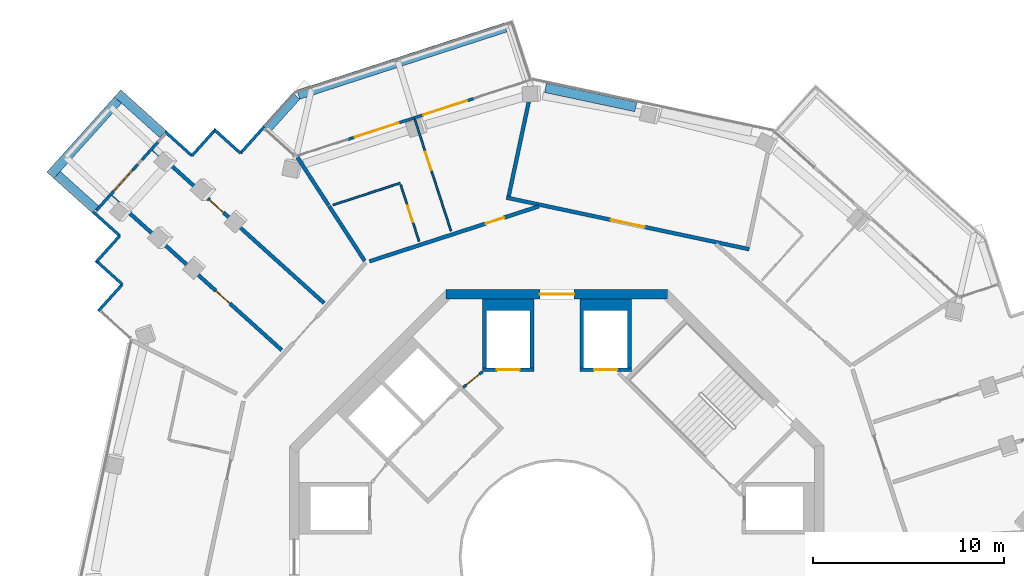
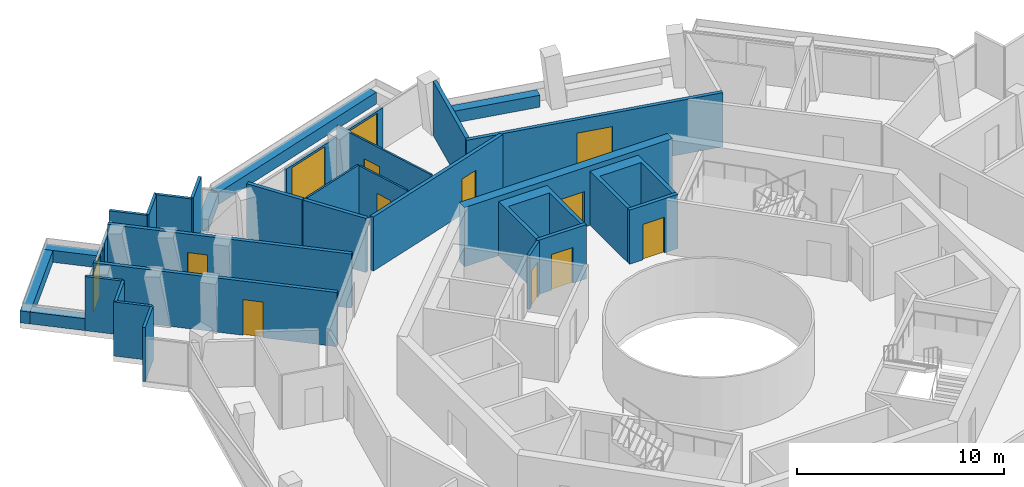
# One storey, part 17 of 22: 34 walls, 13 doors, 13 openings.
"""IFC4 building model written with IfcOpenShell, lengths in metres."""

import ifcopenshell
import ifcopenshell.guid

model = None  # the IFC model being written
_history = None  # IfcOwnerHistory: only IFC2X3 demands one
_inside = {}  # id of a spatial element -> (the spatial element, [elements in it])
_under = {}  # id of a project, library or spatial element -> (it, [spatial elements below it])
_declared = {}  # id of a project -> (the project, [libraries it declares])
_typed = {}  # id of a type object -> (the type object, [elements of that type])
_made_of = {}  # id of a material, layer set ... -> (it, [elements and type objects made of it])


def new_model(schema):
    """Start an empty IFC model of exactly this schema.

    Asked for "IFC4X3", IfcOpenShell would pick the latest addendum, in which some entities
    have other attributes; the version numbers below select the first issue.
    IFC2X3 requires an IfcOwnerHistory on every rooted entity: one is made here for all.
    """
    global model, _history
    if schema == "IFC4X3":
        model = ifcopenshell.file(schema_version=(4, 3, 0, 0))
    else:
        model = ifcopenshell.file(schema=schema)
    _inside.clear()
    _under.clear()
    _declared.clear()
    _typed.clear()
    _made_of.clear()
    _history = None
    if model.schema == "IFC2X3":
        org = make("IfcOrganization", Name="unknown")
        user = make(
            "IfcPersonAndOrganization",
            ThePerson=make("IfcPerson", FamilyName="unknown"),
            TheOrganization=org,
        )
        app = make(
            "IfcApplication",
            ApplicationDeveloper=org,
            Version="unknown",
            ApplicationFullName="unknown",
            ApplicationIdentifier="unknown",
        )
        _history = make(
            "IfcOwnerHistory",
            OwningUser=user,
            OwningApplication=app,
            ChangeAction="ADDED",
            CreationDate=0,
        )
    return model


def make(cls, **values):
    """One entity of the class cls with the attributes given. An attribute that is None is left unset."""
    return model.create_entity(
        cls, **{name: value for name, value in values.items() if value is not None}
    )


def rooted(cls, **values):
    """An entity with a GlobalId (a new one), such as an element, a storey or a relation."""
    return make(cls, GlobalId=ifcopenshell.guid.new(), OwnerHistory=_history, **values)


def si_unit(unit_type, name, prefix=None):
    """IfcSIUnit, for example si_unit("LENGTHUNIT", "METRE", prefix="MILLI")."""
    return make("IfcSIUnit", UnitType=unit_type, Prefix=prefix, Name=name)


def assignment(units):
    """IfcUnitAssignment: the units of a project."""
    return None if units is None else make("IfcUnitAssignment", Units=units)


def point(xyz):
    """IfcCartesianPoint."""
    return None if xyz is None else make("IfcCartesianPoint", Coordinates=xyz)


def direction(xyz):
    """IfcDirection."""
    return None if xyz is None else make("IfcDirection", DirectionRatios=xyz)


def frame(location, z_axis=None, x_axis=None):
    """IfcAxis2Placement3D, a coordinate frame: its origin and axes. An axis left out is left unset."""
    return make(
        "IfcAxis2Placement3D",
        Location=point(location),
        Axis=direction(z_axis),
        RefDirection=direction(x_axis),
    )


def frame_2d(location, x_axis=None):
    """IfcAxis2Placement2D, a coordinate frame in the plane: its origin and x axis."""
    return make(
        "IfcAxis2Placement2D", Location=point(location), RefDirection=direction(x_axis)
    )


def origin():
    """The frame at (0, 0, 0) with its axes left unset."""
    return frame((0.0, 0.0, 0.0))


def place(relative_to, where):
    """IfcLocalPlacement: puts the frame where relative to a parent placement (None: the world)."""
    return make(
        "IfcLocalPlacement", PlacementRelTo=relative_to, RelativePlacement=where
    )


def context(
    kind, dimensions, precision=None, world=None, true_north=None, identifier=None
):
    """IfcGeometricRepresentationContext, for example the 3D "Model" context."""
    return make(
        "IfcGeometricRepresentationContext",
        ContextIdentifier=identifier,
        ContextType=kind,
        CoordinateSpaceDimension=dimensions,
        Precision=precision,
        WorldCoordinateSystem=world,
        TrueNorth=true_north,
    )


def subcontext(parent, identifier, kind, view, scale=None):
    """IfcGeometricRepresentationSubContext, for example "Body" below "Model"."""
    return make(
        "IfcGeometricRepresentationSubContext",
        ContextIdentifier=identifier,
        ContextType=kind,
        ParentContext=parent,
        TargetScale=scale,
        TargetView=view,
    )


def project(units=None, contexts=None):
    """IfcProject with its units and contexts."""
    return rooted(
        "IfcProject",
        Name="project",
        RepresentationContexts=contexts,
        UnitsInContext=assignment(units),
    )


def spatial(cls, under=None, at=None, **own):
    """A site, building, storey or space (cls), placed at a placement, below another one or the project."""
    s = rooted(cls, ObjectPlacement=at, **own)
    if under is not None:
        _under.setdefault(under.id(), (under, []))[1].append(s)
    return s


def polyline(points):
    """IfcPolyline through the points."""
    return make("IfcPolyline", Points=[point(p) for p in points])


def profile(cls, at=None, kind="AREA", **sizes):
    """A parametric profile (cls). Its sizes go by their IFC names, for example OverallWidth=200.0."""
    return make(cls, ProfileType=kind, Position=at, **sizes)


def rectangle(**sizes):
    """IfcRectangleProfileDef."""
    return profile("IfcRectangleProfileDef", **sizes)


def outline(outer, holes=None, kind="AREA"):
    """IfcArbitraryClosedProfileDef: a profile drawn as a closed curve; with holes, ...WithVoids."""
    if holes is None:
        return make("IfcArbitraryClosedProfileDef", ProfileType=kind, OuterCurve=outer)
    return make(
        "IfcArbitraryProfileDefWithVoids",
        ProfileType=kind,
        OuterCurve=outer,
        InnerCurves=holes,
    )


def extrude(swept, where, along, depth):
    """IfcExtrudedAreaSolid: the profile swept, set in the frame where, extruded along a direction by depth."""
    return make(
        "IfcExtrudedAreaSolid",
        SweptArea=swept,
        Position=where,
        ExtrudedDirection=direction(along),
        Depth=depth,
    )


def shape(context_of_items, identifier, shape_type, items):
    """IfcShapeRepresentation: the items that make up one representation, for example the "Body"."""
    return make(
        "IfcShapeRepresentation",
        ContextOfItems=context_of_items,
        RepresentationIdentifier=identifier,
        RepresentationType=shape_type,
        Items=items,
    )


def material(Name=None, Category=None):
    """IfcMaterial."""
    return make("IfcMaterial", Name=Name, Category=Category)


def layer(
    of_material, thickness, ventilated=None, Name=None, Category=None, Priority=None
):
    """IfcMaterialLayer: one layer of a wall or slab, of a material (None: an air gap)."""
    return make(
        "IfcMaterialLayer",
        Material=of_material,
        LayerThickness=thickness,
        IsVentilated=ventilated,
        Name=Name,
        Category=Category,
        Priority=Priority,
    )


def layer_set(layers, Name=None):
    """IfcMaterialLayerSet."""
    return make("IfcMaterialLayerSet", MaterialLayers=layers, LayerSetName=Name)


def made_of(thing, what):
    """Note that an element or type object is made of a material, layer set ...; save() writes the relation."""
    if what is not None:
        _made_of.setdefault(what.id(), (what, []))[1].append(thing)
    return thing


def type_object(cls, material=None, **own):
    """A type object (cls), such as IfcWallType, which elements share."""
    return made_of(rooted(cls, **own), material)


def element(
    cls,
    number,
    at=None,
    inside=None,
    cuts=None,
    type_object=None,
    material=None,
    context=None,
    identifier="Body",
    shape_type=None,
    held_by="IfcProductDefinitionShape",
    body=None,
    shapes=None,
    **own,
):
    """One element of the class cls, such as IfcWall. Its Tag is "e" and its number.

    at: its placement. inside: the storey or other place that contains it. cuts: it is an
    opening in that element (IfcRelVoidsElement). A single representation is given by context,
    identifier, shape_type and body (its items); several are given by shapes. held_by: the class
    of the entity that holds the representations. save() writes the other relations.
    """
    e = rooted(cls, Tag="e%d" % number, ObjectPlacement=at, **own)
    if body is not None:
        shapes = [shape(context, identifier, shape_type, body)]
    if shapes is not None:
        e.Representation = make(held_by, Representations=shapes)
    if inside is not None:
        _inside.setdefault(inside.id(), (inside, []))[1].append(e)
    if cuts is not None:
        rooted(
            "IfcRelVoidsElement", RelatingBuildingElement=cuts, RelatedOpeningElement=e
        )
    if type_object is not None:
        _typed.setdefault(type_object.id(), (type_object, []))[1].append(e)
    return made_of(e, material)


def fill(opening, filler):
    """IfcRelFillsElement: the door or window that sits in an opening."""
    return rooted(
        "IfcRelFillsElement",
        RelatingOpeningElement=opening,
        RelatedBuildingElement=filler,
    )


def aggregate(whole, parts):
    """IfcRelAggregates: a whole, such as a stair, and the parts it consists of."""
    return rooted("IfcRelAggregates", RelatingObject=whole, RelatedObjects=parts)


def save(model, path):
    """Write the relations noted so far, then the file.

    IfcRelAggregates (storeys below a building ...), IfcRelContainedInSpatialStructure (elements
    in a storey), IfcRelDefinesByType, IfcRelAssociatesMaterial and IfcRelDeclares: one each for
    every whole, place, type object, material and project.
    """
    for whole, parts in _under.values():
        aggregate(whole, parts)
    for where, things in _inside.values():
        rooted(
            "IfcRelContainedInSpatialStructure",
            RelatedElements=things,
            RelatingStructure=where,
        )
    for kind, things in _typed.values():
        rooted("IfcRelDefinesByType", RelatedObjects=things, RelatingType=kind)
    for what, things in _made_of.values():
        rooted("IfcRelAssociatesMaterial", RelatedObjects=things, RelatingMaterial=what)
    for by, libraries in _declared.values():
        rooted("IfcRelDeclares", RelatingContext=by, RelatedDefinitions=libraries)
    model.write(path)


model = new_model("IFC4")

# Units and contexts
model_context = context("Model", 3, precision=1e-05, world=origin(), true_north=direction((0.0, 1.0)))
body_context = subcontext(model_context, "Body", "Model", "MODEL_VIEW")
ifc_project = project(units=[si_unit("LENGTHUNIT", "METRE"), si_unit("AREAUNIT", "SQUARE_METRE"), si_unit("VOLUMEUNIT", "CUBIC_METRE"), si_unit("PLANEANGLEUNIT", "RADIAN"), si_unit("MASSUNIT", "GRAM", prefix="KILO")], contexts=[model_context])

# Site, building, storey
site_placement = place(None, origin())
site = spatial("IfcSite", under=ifc_project, at=site_placement, CompositionType="ELEMENT")
building_placement = place(site_placement, origin())
building = spatial("IfcBuilding", under=site, at=building_placement, Name="Verdalira Terraces Hotel", CompositionType="ELEMENT")
storey_placement = place(building_placement, frame((0.0, 0.0, 230.5)))
storey = spatial("IfcBuildingStorey", under=building, at=storey_placement, Name="L56", CompositionType="ELEMENT", Elevation=230.5)

# Walls
ifc_material_1 = material(Name="Concrete C40", Category="concrete")
ifc_layer_1 = layer(ifc_material_1, 0.5)
ifc_layer_set_1 = layer_set([ifc_layer_1], Name="Balcony planter trough with tree")
wall_type_1 = type_object("IfcWallType", Name="Balcony planter trough with tree", PredefinedType="SOLIDWALL", material=ifc_layer_set_1)
wall_1_placement = place(storey_placement, frame((-20.630371, 22.141602, 0.0), z_axis=(0.0, 0.0, 1.0), x_axis=(-0.743153713, 0.669120736, 0.0)))
element("IfcWall", 1, at=wall_1_placement, inside=storey, type_object=wall_type_1, Name="Balcony planter", PredefinedType="SOLIDWALL", context=body_context, shape_type="SweptSolid", body=[
    extrude(rectangle(XDim=3.19873, YDim=0.5, at=frame_2d((1.599365, 0.0))), origin(), (0.0, 0.0, 1.0), 0.699951),
])
wall_2_placement = place(storey_placement, frame((-22.989014, 23.928955, 0.0), z_axis=(0.0, 0.0, 1.0), x_axis=(-0.669173394, -0.743106298, 0.0)))
element("IfcWall", 2, at=wall_2_placement, inside=storey, type_object=wall_type_1, Name="Balcony planter", PredefinedType="SOLIDWALL", context=body_context, shape_type="SweptSolid", body=[
    extrude(rectangle(XDim=5.300049, YDim=0.5, at=frame_2d((2.649902, 0.0))), origin(), (0.0, 0.0, 1.0), 0.699951),
])
wall_3_placement = place(storey_placement, frame((-26.182373, 20.008789, 0.0), z_axis=(0.0, 0.0, 1.0), x_axis=(0.743136694, -0.669139638, 0.0)))
element("IfcWall", 3, at=wall_3_placement, inside=storey, type_object=wall_type_1, Name="Balcony planter", PredefinedType="SOLIDWALL", context=body_context, shape_type="SweptSolid", body=[
    extrude(rectangle(XDim=2.69873, YDim=0.5, at=frame_2d((1.349365, 0.0))), origin(), (0.0, 0.0, 1.0), 0.699951),
])
wall_4_placement = place(storey_placement, frame((-2.701416, 27.730713, 0.0), z_axis=(0.0, 0.0, 1.0), x_axis=(-0.951061138, -0.309002771, 0.0)))
element("IfcWall", 4, at=wall_4_placement, inside=storey, type_object=wall_type_1, Name="Balcony planter", PredefinedType="SOLIDWALL", context=body_context, shape_type="SweptSolid", body=[
    extrude(rectangle(XDim=11.398682, YDim=0.5, at=frame_2d((5.699219, 0.0))), origin(), (0.0, 0.0, 1.0), 0.699951),
])
wall_5_placement = place(storey_placement, frame((-13.650635, 24.137939, 0.0), z_axis=(0.0, 0.0, 1.0), x_axis=(-0.669140422, -0.743135988, 0.0)))
element("IfcWall", 5, at=wall_5_placement, inside=storey, type_object=wall_type_1, Name="Balcony planter", PredefinedType="SOLIDWALL", context=body_context, shape_type="SweptSolid", body=[
    extrude(rectangle(XDim=2.302979, YDim=0.5, at=frame_2d((1.151367, 0.0))), origin(), (0.0, 0.0, 1.0), 0.699951),
])
ifc_material_2 = material(Name="Moisture-resistant gypsum board partition")
ifc_layer_2 = layer(ifc_material_2, 0.10009765625)
ifc_layer_set_2 = layer_set([ifc_layer_2], Name="Bathroom partition 100 mm")
wall_type_2 = type_object("IfcWallType", Name="Bathroom partition 100 mm", PredefinedType="PARTITIONING", material=ifc_layer_set_2)
wall_6_placement = place(storey_placement, frame((-8.210693, 19.579346, 0.0), z_axis=(0.0, 0.0, 1.0), x_axis=(-0.951055381, -0.30902049, 0.0)))
element("IfcWall", 6, at=wall_6_placement, inside=storey, type_object=wall_type_2, Name="Bathroom partition", PredefinedType="PARTITIONING", context=body_context, shape_type="SweptSolid", body=[
    extrude(rectangle(XDim=3.703857, YDim=0.100098, at=frame_2d((1.852051, 0.0))), origin(), (0.0, 0.0, 1.0), 3.189941),
])

# Wall, opening, door
wall_7_placement = place(storey_placement, frame((-7.22168, 16.535889, 0.0), z_axis=(0.0, 0.0, 1.0), x_axis=(-0.309013065, 0.951057793, 0.0)))
wall_7 = element("IfcWall", 7, at=wall_7_placement, inside=storey, type_object=wall_type_2, Name="Bathroom partition", PredefinedType="PARTITIONING", context=body_context, shape_type="SweptSolid", body=[
    extrude(rectangle(XDim=3.100098, YDim=0.100098, at=frame_2d((1.550049, 0.0))), origin(), (0.0, 0.0, 1.0), 3.189941),
])
opening_1_placement = place(wall_7_placement, frame((1.050049, 0.0, 0.0)))
opening_1 = element("IfcOpeningElement", 8, at=opening_1_placement, cuts=wall_7, Name="Opening L56-132", PredefinedType="OPENING", context=body_context, shape_type="SweptSolid", body=[
    extrude(rectangle(XDim=0.899902, YDim=2.100098, at=frame_2d((0.449951, 1.050049))), frame((0.0, 0.060059, 0.0), z_axis=(0.0, -1.0, 0.0), x_axis=(1.0, 0.0, 0.0)), (0.0, 0.0, 1.0), 0.120117),
])
ifc_material_3 = material(Name="Timber door", Category="wood")
door_type_1 = type_object("IfcDoorType", Name="Bathroom door 900 x 2100", OperationType="NOTDEFINED", PredefinedType="DOOR", material=ifc_material_3)
door_1_placement = place(opening_1_placement, origin())
door_1 = element("IfcDoor", 9, at=door_1_placement, inside=storey, type_object=door_type_1, Name="Bathroom door 5611", OperationType="SINGLE_SWING_RIGHT", OverallHeight=2.10009765625, OverallWidth=0.89990234375, PredefinedType="DOOR", context=body_context, shape_type="SweptSolid", body=[
    extrude(rectangle(XDim=0.899902, YDim=2.100098, at=frame_2d((0.449951, 1.050049))), frame((0.0, 0.024902, 0.0), z_axis=(0.0, -1.0, 0.0), x_axis=(1.0, 0.0, 0.0)), (0.0, 0.0, 1.0), 0.050049),
])
fill(opening_1, door_1)

wall_8_placement = place(storey_placement, frame((-5.549316, 17.079346, 0.0), z_axis=(0.0, 0.0, 1.0), x_axis=(-0.309037601, 0.95104982, 0.0)))
wall_8 = element("IfcWall", 10, at=wall_8_placement, inside=storey, type_object=wall_type_2, Name="Bathroom partition", PredefinedType="PARTITIONING", context=body_context, shape_type="SweptSolid", body=[
    extrude(rectangle(XDim=6.150146, YDim=0.100098, at=frame_2d((3.075195, 0.0))), origin(), (0.0, 0.0, 1.0), 3.189941),
])
opening_2_placement = place(wall_8_placement, frame((3.350098, 0.0, 0.0)))
opening_2 = element("IfcOpeningElement", 11, at=opening_2_placement, cuts=wall_8, Name="Opening L56-131", PredefinedType="OPENING", context=body_context, shape_type="SweptSolid", body=[
    extrude(rectangle(XDim=1.0, YDim=2.100098, at=frame_2d((0.5, 1.050049))), frame((0.0, 0.060059, 0.0), z_axis=(0.0, -1.0, 0.0), x_axis=(1.0, 0.0, 0.0)), (0.0, 0.0, 1.0), 0.120117),
])
ifc_material_4 = material(Name="Timber door", Category="wood")
door_type_2 = type_object("IfcDoorType", Name="Suite internal door 1000 x 2100", OperationType="NOTDEFINED", PredefinedType="DOOR", material=ifc_material_4)
door_2_placement = place(opening_2_placement, origin())
door_2 = element("IfcDoor", 12, at=door_2_placement, inside=storey, type_object=door_type_2, Name="Suite internal door 5611", OperationType="SINGLE_SWING_LEFT", OverallHeight=2.10009765625, OverallWidth=1.0, PredefinedType="DOOR", context=body_context, shape_type="SweptSolid", body=[
    extrude(rectangle(XDim=1.0, YDim=2.100098, at=frame_2d((0.5, 1.050049))), frame((0.0, 0.024902, 0.0), z_axis=(0.0, -1.0, 0.0), x_axis=(1.0, 0.0, 0.0)), (0.0, 0.0, 1.0), 0.050049),
])
fill(opening_2, door_2)

# Wall
ifc_material_5 = material(Name="Concrete C50", Category="concrete")
ifc_layer_3 = layer(ifc_material_5, 0.199951171875)
ifc_layer_set_3 = layer_set([ifc_layer_3], Name="Core RC wall 200 C50")
wall_type_3 = type_object("IfcWallType", Name="Core RC wall 200 C50", PredefinedType="SOLIDWALL", material=ifc_layer_set_3)
wall_9_placement = place(storey_placement, origin())
element("IfcWall", 13, at=wall_9_placement, inside=storey, type_object=wall_type_3, Name="L56 shaft wall N1", PredefinedType="SOLIDWALL", context=body_context, shape_type="SweptSolid", body=[
    extrude(outline(polyline([(3.899902, 9.899902), (3.699951, 9.899902), (3.699951, 12.899902), (1.399902, 12.899902), (1.399902, 9.899902), (1.199951, 9.899902), (1.199951, 13.5), (3.899902, 13.5), (3.899902, 9.899902)])), origin(), (0.0, 0.0, 1.0), 3.189941),
])

# Wall, opening, door
wall_10_placement = place(storey_placement, frame((1.199951, 9.800049, 0.0), z_axis=(0.0, 0.0, 1.0), x_axis=(1.0, 0.0, 0.0)))
wall_10 = element("IfcWall", 14, at=wall_10_placement, inside=storey, type_object=wall_type_3, Name="L56 shaft front wall N1", PredefinedType="SOLIDWALL", context=body_context, shape_type="SweptSolid", body=[
    extrude(rectangle(XDim=2.699951, YDim=0.199951, at=frame_2d((1.350098, 0.0))), origin(), (0.0, 0.0, 1.0), 3.189941),
])
opening_3_placement = place(wall_10_placement, frame((0.75, 0.0, 0.0)))
opening_3 = element("IfcOpeningElement", 15, at=opening_3_placement, cuts=wall_10, Name="Opening LD-L56-804", PredefinedType="OPENING", context=body_context, shape_type="SweptSolid", body=[
    extrude(rectangle(XDim=1.199951, YDim=2.100098, at=frame_2d((0.600098, 1.050049))), frame((0.0, 0.109863, 0.0), z_axis=(0.0, -1.0, 0.0), x_axis=(1.0, 0.0, 0.0)), (0.0, 0.0, 1.0), 0.219971),
])
ifc_material_6 = material(Name="Stainless steel", Category="steel")
door_type_3 = type_object("IfcDoorType", Name="Landing door 1200 x 2100", OperationType="NOTDEFINED", PredefinedType="DOOR", material=ifc_material_6)
door_3_placement = place(opening_3_placement, origin())
door_3 = element("IfcDoor", 16, at=door_3_placement, inside=storey, type_object=door_type_3, Name="Lift landing door HR3 L56", OperationType="DOUBLE_DOOR_SLIDING", OverallHeight=2.10009765625, OverallWidth=1.199951171875, PredefinedType="DOOR", context=body_context, shape_type="SweptSolid", body=[
    extrude(rectangle(XDim=1.199951, YDim=2.100098, at=frame_2d((0.600098, 1.050049))), frame((0.0, 0.024902, 0.0), z_axis=(0.0, -1.0, 0.0), x_axis=(1.0, 0.0, 0.0)), (0.0, 0.0, 1.0), 0.050049),
])
fill(opening_3, door_3)

# Wall
wall_11_placement = place(storey_placement, origin())
element("IfcWall", 17, at=wall_11_placement, inside=storey, type_object=wall_type_3, Name="L56 shaft wall N2", PredefinedType="SOLIDWALL", context=body_context, shape_type="SweptSolid", body=[
    extrude(outline(polyline([(-3.899902, 13.5), (-1.199951, 13.5), (-1.199951, 9.899902), (-1.399902, 9.899902), (-1.399902, 12.899902), (-3.699951, 12.899902), (-3.699951, 9.899902), (-3.899902, 9.899902), (-3.899902, 13.5)])), origin(), (0.0, 0.0, 1.0), 3.189941),
])

# Wall, opening, door
wall_12_placement = place(storey_placement, frame((-1.199951, 9.800049, 0.0), z_axis=(0.0, 0.0, 1.0), x_axis=(-1.0, 0.0, 0.0)))
wall_12 = element("IfcWall", 18, at=wall_12_placement, inside=storey, type_object=wall_type_3, Name="L56 shaft front wall N2", PredefinedType="SOLIDWALL", context=body_context, shape_type="SweptSolid", body=[
    extrude(rectangle(XDim=2.699951, YDim=0.199951, at=frame_2d((1.350098, 0.0))), origin(), (0.0, 0.0, 1.0), 3.189941),
])
opening_4_placement = place(wall_12_placement, frame((0.75, 0.0, 0.0)))
opening_4 = element("IfcOpeningElement", 19, at=opening_4_placement, cuts=wall_12, Name="Opening LD-L56-805", PredefinedType="OPENING", context=body_context, shape_type="SweptSolid", body=[
    extrude(rectangle(XDim=1.199951, YDim=2.100098, at=frame_2d((0.600098, 1.050049))), frame((0.0, 0.109863, 0.0), z_axis=(0.0, -1.0, 0.0), x_axis=(1.0, 0.0, 0.0)), (0.0, 0.0, 1.0), 0.219971),
])
door_4_placement = place(opening_4_placement, origin())
door_4 = element("IfcDoor", 20, at=door_4_placement, inside=storey, type_object=door_type_3, Name="Lift landing door HR4 L56", OperationType="DOUBLE_DOOR_SLIDING", OverallHeight=2.10009765625, OverallWidth=1.199951171875, PredefinedType="DOOR", context=body_context, shape_type="SweptSolid", body=[
    extrude(rectangle(XDim=1.199951, YDim=2.100098, at=frame_2d((0.600098, 1.050049))), frame((0.0, 0.024902, 0.0), z_axis=(0.0, -1.0, 0.0), x_axis=(1.0, 0.0, 0.0)), (0.0, 0.0, 1.0), 0.050049),
])
fill(opening_4, door_4)

ifc_material_7 = material(Name="Gypsum board partition")
ifc_layer_4 = layer(ifc_material_7, 0.14990234375)
ifc_layer_set_4 = layer_set([ifc_layer_4], Name="Core partition 150 mm")
wall_type_4 = type_object("IfcWallType", Name="Core partition 150 mm", PredefinedType="PARTITIONING", material=ifc_layer_set_4)
wall_13_placement = place(storey_placement, frame((-3.899902, 9.699951, 0.0), z_axis=(0.0, 0.0, 1.0), x_axis=(-0.775559878, -0.631274009, 0.0)))
wall_13 = element("IfcWall", 21, at=wall_13_placement, inside=storey, type_object=wall_type_4, Name="Room partition L56", PredefinedType="PARTITIONING", context=body_context, shape_type="SweptSolid", body=[
    extrude(rectangle(XDim=1.307861, YDim=0.149902, at=frame_2d((0.653809, 0.0))), origin(), (0.0, 0.0, 1.0), 3.189941),
])
opening_5_placement = place(wall_13_placement, frame((0.204102, 0.0, 0.0)))
opening_5 = element("IfcOpeningElement", 22, at=opening_5_placement, cuts=wall_13, Name="Opening L56-820", PredefinedType="OPENING", context=body_context, shape_type="SweptSolid", body=[
    extrude(rectangle(XDim=0.899902, YDim=2.100098, at=frame_2d((0.449951, 1.050049))), frame((0.0, 0.084961, 0.0), z_axis=(0.0, -1.0, 0.0), x_axis=(1.0, 0.0, 0.0)), (0.0, 0.0, 1.0), 0.169922),
])
ifc_material_8 = material(Name="Steel fire door", Category="steel")
door_type_4 = type_object("IfcDoorType", Name="Core room door 900 x 2100", OperationType="NOTDEFINED", PredefinedType="DOOR", material=ifc_material_8)
door_5_placement = place(opening_5_placement, origin())
door_5 = element("IfcDoor", 23, at=door_5_placement, inside=storey, type_object=door_type_4, Name="Door L56 room2", OperationType="SINGLE_SWING_LEFT", OverallHeight=2.10009765625, OverallWidth=0.89990234375, PredefinedType="DOOR", context=body_context, shape_type="SweptSolid", body=[
    extrude(rectangle(XDim=0.899902, YDim=2.100098, at=frame_2d((0.449951, 1.050049))), frame((0.0, 0.024902, 0.0), z_axis=(0.0, -1.0, 0.0), x_axis=(1.0, 0.0, 0.0)), (0.0, 0.0, 1.0), 0.050049),
])
fill(opening_5, door_5)

ifc_material_9 = material(Name="Concrete C50", Category="concrete")
ifc_layer_5 = layer(ifc_material_9, 0.5)
ifc_layer_set_5 = layer_set([ifc_layer_5], Name="Core wall 500 C50")
wall_type_5 = type_object("IfcWallType", Name="Core wall 500 C50", PredefinedType="SHEAR", material=ifc_layer_set_5)
wall_14_placement = place(storey_placement, frame((5.799072, 13.75, 0.0), z_axis=(0.0, 0.0, 1.0), x_axis=(-1.0, 0.0, 0.0)))
wall_14 = element("IfcWall", 24, at=wall_14_placement, inside=storey, type_object=wall_type_5, Name="Core wall CW-L56-3", PredefinedType="SHEAR", context=body_context, shape_type="SweptSolid", body=[
    extrude(rectangle(XDim=11.598145, YDim=0.5, at=frame_2d((5.799072, 0.0))), origin(), (0.0, 0.0, 1.0), 3.5),
])
opening_6_placement = place(wall_14_placement, frame((4.898926, 0.0, 0.0)))
opening_6 = element("IfcOpeningElement", 25, at=opening_6_placement, cuts=wall_14, Name="Opening L56-814", PredefinedType="OPENING", context=body_context, shape_type="SweptSolid", body=[
    extrude(rectangle(XDim=1.800049, YDim=2.100098, at=frame_2d((0.899902, 1.050049))), frame((0.0, 0.26001, 0.0), z_axis=(0.0, -1.0, 0.0), x_axis=(1.0, 0.0, 0.0)), (0.0, 0.0, 1.0), 0.52002),
])
ifc_material_10 = material(Name="Steel fire door", Category="steel")
door_type_5 = type_object("IfcDoorType", Name="Core entry door pair 1800 x 2100", OperationType="NOTDEFINED", PredefinedType="DOOR", material=ifc_material_10)
door_6_placement = place(opening_6_placement, origin())
door_6 = element("IfcDoor", 26, at=door_6_placement, inside=storey, type_object=door_type_5, Name="Core entry door L56 2", OperationType="DOUBLE_DOOR_SINGLE_SWING", OverallHeight=2.10009765625, OverallWidth=1.800048828125, PredefinedType="DOOR", context=body_context, shape_type="SweptSolid", body=[
    extrude(rectangle(XDim=1.800049, YDim=2.100098, at=frame_2d((0.899902, 1.050049))), frame((0.0, 0.024902, 0.0), z_axis=(0.0, -1.0, 0.0), x_axis=(1.0, 0.0, 0.0)), (0.0, 0.0, 1.0), 0.050049),
])
fill(opening_6, door_6)

ifc_material_11 = material(Name="Fire-rated gypsum board wall")
ifc_layer_6 = layer(ifc_material_11, 0.199951171875)
ifc_layer_set_6 = layer_set([ifc_layer_6], Name="Demising wall 200 mm")
wall_type_6 = type_object("IfcWallType", Name="Demising wall 200 mm", PredefinedType="SOLIDWALL", material=ifc_layer_set_6)
wall_15_placement = place(storey_placement, frame((-14.413574, 10.830566, 0.0), z_axis=(0.0, 0.0, 1.0), x_axis=(-0.743141846, 0.669133915, 0.0)))
wall_15 = element("IfcWall", 27, at=wall_15_placement, inside=storey, type_object=wall_type_6, Name="Demising wall", PredefinedType="SOLIDWALL", context=body_context, shape_type="SweptSolid", body=[
    extrude(rectangle(XDim=12.037598, YDim=0.199951, at=frame_2d((6.018799, 0.0))), origin(), (0.0, 0.0, 1.0), 3.189941),
])
opening_7_placement = place(wall_15_placement, frame((3.649902, 0.0, 0.0)))
opening_7 = element("IfcOpeningElement", 28, at=opening_7_placement, cuts=wall_15, Name="Opening L56-103", PredefinedType="OPENING", context=body_context, shape_type="SweptSolid", body=[
    extrude(rectangle(XDim=1.0, YDim=2.100098, at=frame_2d((0.5, 1.050049))), frame((0.0, 0.109863, 0.0), z_axis=(0.0, -1.0, 0.0), x_axis=(1.0, 0.0, 0.0)), (0.0, 0.0, 1.0), 0.219971),
])
ifc_material_12 = material(Name="Timber fire door", Category="wood")
door_type_6 = type_object("IfcDoorType", Name="Public room door 1000 x 2100", OperationType="NOTDEFINED", PredefinedType="DOOR", material=ifc_material_12)
door_7_placement = place(opening_7_placement, origin())
door_7 = element("IfcDoor", 29, at=door_7_placement, inside=storey, type_object=door_type_6, Name="Public room door 5601", OperationType="SINGLE_SWING_LEFT", OverallHeight=2.10009765625, OverallWidth=1.0, PredefinedType="DOOR", context=body_context, shape_type="SweptSolid", body=[
    extrude(rectangle(XDim=1.0, YDim=2.100098, at=frame_2d((0.5, 1.050049))), frame((0.0, 0.024902, 0.0), z_axis=(0.0, -1.0, 0.0), x_axis=(1.0, 0.0, 0.0)), (0.0, 0.0, 1.0), 0.050049),
])
fill(opening_7, door_7)

wall_16_placement = place(storey_placement, frame((-21.141113, 21.348633, 0.0), z_axis=(0.0, 0.0, 1.0), x_axis=(0.743141846, -0.669133915, 0.0)))
wall_16 = element("IfcWall", 30, at=wall_16_placement, inside=storey, type_object=wall_type_6, Name="Demising wall", PredefinedType="SOLIDWALL", context=body_context, shape_type="SweptSolid", body=[
    extrude(rectangle(XDim=12.037598, YDim=0.199951, at=frame_2d((6.018799, 0.0))), origin(), (0.0, 0.0, 1.0), 3.189941),
])
opening_8_placement = place(wall_16_placement, frame((3.949951, 0.0, 0.0)))
opening_8 = element("IfcOpeningElement", 31, at=opening_8_placement, cuts=wall_16, Name="Opening L56-102", PredefinedType="OPENING", context=body_context, shape_type="SweptSolid", body=[
    extrude(rectangle(XDim=1.0, YDim=2.100098, at=frame_2d((0.5, 1.050049))), frame((0.0, 0.109863, 0.0), z_axis=(0.0, -1.0, 0.0), x_axis=(1.0, 0.0, 0.0)), (0.0, 0.0, 1.0), 0.219971),
])
door_8_placement = place(opening_8_placement, origin())
door_8 = element("IfcDoor", 32, at=door_8_placement, inside=storey, type_object=door_type_6, Name="Public room door 5601", OperationType="SINGLE_SWING_LEFT", OverallHeight=2.10009765625, OverallWidth=1.0, PredefinedType="DOOR", context=body_context, shape_type="SweptSolid", body=[
    extrude(rectangle(XDim=1.0, YDim=2.100098, at=frame_2d((0.5, 1.050049))), frame((0.0, 0.024902, 0.0), z_axis=(0.0, -1.0, 0.0), x_axis=(1.0, 0.0, 0.0)), (0.0, 0.0, 1.0), 0.050049),
])
fill(opening_8, door_8)

# Walls
wall_17_placement = place(storey_placement, frame((-13.596436, 20.936523, 0.0), z_axis=(0.0, 0.0, 1.0), x_axis=(0.544632104, -0.838675069, 0.0)))
element("IfcWall", 33, at=wall_17_placement, inside=storey, type_object=wall_type_6, Name="Demising wall", PredefinedType="SOLIDWALL", context=body_context, shape_type="SweptSolid", body=[
    extrude(rectangle(XDim=3.011475, YDim=0.199951, at=frame_2d((1.505859, 0.0))), origin(), (0.0, 0.0, 1.0), 3.189941),
])
wall_18_placement = place(storey_placement, frame((-11.931396, 18.372559, 0.0), z_axis=(0.0, 0.0, 1.0), x_axis=(0.544639368, -0.838670352, 0.0)))
element("IfcWall", 34, at=wall_18_placement, inside=storey, type_object=wall_type_6, Name="Demising wall", PredefinedType="SOLIDWALL", context=body_context, shape_type="SweptSolid", body=[
    extrude(rectangle(XDim=3.418457, YDim=0.199951, at=frame_2d((1.709229, 0.0))), origin(), (0.0, 0.0, 1.0), 3.189941),
])

# Wall, opening, door
ifc_material_13 = material(Name="Fire-rated gypsum board wall")
ifc_layer_7 = layer(ifc_material_13, 0.199951171875)
ifc_layer_set_7 = layer_set([ifc_layer_7], Name="Guest corridor wall 200 mm")
wall_type_7 = type_object("IfcWallType", Name="Guest corridor wall 200 mm", PredefinedType="SOLIDWALL", material=ifc_layer_set_7)
wall_19_placement = place(storey_placement, frame((-9.822998, 15.480713, 0.0), z_axis=(0.0, 0.0, 1.0), x_axis=(0.951064041, 0.308993835, 0.0)))
wall_19 = element("IfcWall", 35, at=wall_19_placement, inside=storey, type_object=wall_type_7, Name="Guest corridor wall", PredefinedType="SOLIDWALL", context=body_context, shape_type="SweptSolid", body=[
    extrude(rectangle(XDim=9.33667, YDim=0.199951, at=frame_2d((4.668457, 0.0))), origin(), (0.0, 0.0, 1.0), 3.189941),
])
opening_9_placement = place(wall_19_placement, frame((6.408203, 0.0, 0.0)))
opening_9 = element("IfcOpeningElement", 36, at=opening_9_placement, cuts=wall_19, Name="Opening L56-130", PredefinedType="OPENING", context=body_context, shape_type="SweptSolid", body=[
    extrude(rectangle(XDim=1.0, YDim=2.100098, at=frame_2d((0.5, 1.050049))), frame((0.0, 0.109863, 0.0), z_axis=(0.0, -1.0, 0.0), x_axis=(1.0, 0.0, 0.0)), (0.0, 0.0, 1.0), 0.219971),
])
ifc_material_14 = material(Name="Timber fire door", Category="wood")
door_type_7 = type_object("IfcDoorType", Name="Guest entry door 1000 x 2100", OperationType="NOTDEFINED", PredefinedType="DOOR", material=ifc_material_14)
door_9_placement = place(opening_9_placement, origin())
door_9 = element("IfcDoor", 37, at=door_9_placement, inside=storey, type_object=door_type_7, Name="Guest entry door 5611", OperationType="SINGLE_SWING_LEFT", OverallHeight=2.10009765625, OverallWidth=1.0, PredefinedType="DOOR", context=body_context, shape_type="SweptSolid", body=[
    extrude(rectangle(XDim=1.0, YDim=2.100098, at=frame_2d((0.5, 1.050049))), frame((0.0, 0.024902, 0.0), z_axis=(0.0, -1.0, 0.0), x_axis=(1.0, 0.0, 0.0)), (0.0, 0.0, 1.0), 0.050049),
])
fill(opening_9, door_9)

ifc_material_15 = material(Name="Terracotta cladding", Category="masonry")
ifc_layer_8 = layer(ifc_material_15, 0.199951171875)
ifc_layer_set_8 = layer_set([ifc_layer_8], Name="Loggia back wall 200")
wall_type_8 = type_object("IfcWallType", Name="Loggia back wall 200", PredefinedType="SOLIDWALL", material=ifc_layer_set_8)
wall_20_placement = place(storey_placement, frame((-2.64502, 18.81958, 0.0), z_axis=(0.0, 0.0, 1.0), x_axis=(0.978146821, -0.207915357, 0.0)))
wall_20 = element("IfcWall", 38, at=wall_20_placement, inside=storey, type_object=wall_type_8, Name="Loggia back wall", PredefinedType="SOLIDWALL", context=body_context, shape_type="SweptSolid", body=[
    extrude(rectangle(XDim=13.0, YDim=0.199951, at=frame_2d((6.5, 0.0))), origin(), (0.0, 0.0, 1.0), 3.189941),
])
opening_10_placement = place(wall_20_placement, frame((5.600098, 0.0, 0.0)))
opening_10 = element("IfcOpeningElement", 39, at=opening_10_placement, cuts=wall_20, Name="Opening L56-L01", PredefinedType="OPENING", context=body_context, shape_type="SweptSolid", body=[
    extrude(rectangle(XDim=1.800049, YDim=2.399902, at=frame_2d((0.899902, 1.199951))), frame((0.0, 0.109863, 0.0), z_axis=(0.0, -1.0, 0.0), x_axis=(1.0, 0.0, 0.0)), (0.0, 0.0, 1.0), 0.219971),
])
ifc_material_16 = material(Name="Clear glass", Category="glass")
door_type_8 = type_object("IfcDoorType", Name="Garden double door 1800x2400", OperationType="NOTDEFINED", PredefinedType="DOOR", material=ifc_material_16)
door_10_placement = place(opening_10_placement, origin())
door_10 = element("IfcDoor", 40, at=door_10_placement, inside=storey, type_object=door_type_8, Name="Loggia double door", OperationType="DOUBLE_DOOR_SINGLE_SWING", OverallHeight=2.39990234375, OverallWidth=1.800048828125, PredefinedType="DOOR", context=body_context, shape_type="SweptSolid", body=[
    extrude(rectangle(XDim=1.800049, YDim=2.399902, at=frame_2d((0.899902, 1.199951))), frame((0.0, 0.024902, 0.0), z_axis=(0.0, -1.0, 0.0), x_axis=(1.0, 0.0, 0.0)), (0.0, 0.0, 1.0), 0.050049),
])
fill(opening_10, door_10)

# Walls
wall_21_placement = place(storey_placement, frame((-1.476074, 23.838135, 0.0), z_axis=(0.0, 0.0, 1.0), x_axis=(-0.207895168, -0.978151113, 0.0)))
element("IfcWall", 41, at=wall_21_placement, inside=storey, type_object=wall_type_8, Name="Loggia side wall", PredefinedType="SOLIDWALL", context=body_context, shape_type="SweptSolid", body=[
    extrude(rectangle(XDim=5.052002, YDim=0.199951, at=frame_2d((2.525879, 0.0))), origin(), (0.0, 0.0, 1.0), 3.189941),
])
ifc_material_17 = material(Name="Concrete C40", Category="concrete")
ifc_layer_9 = layer(ifc_material_17, 0.5)
ifc_layer_set_9 = layer_set([ifc_layer_9], Name="Loggia planter trough with tree")
wall_type_9 = type_object("IfcWallType", Name="Loggia planter trough with tree", PredefinedType="SOLIDWALL", material=ifc_layer_set_9)
wall_22_placement = place(storey_placement, frame((4.128418, 23.564941, 0.0), z_axis=(0.0, 0.0, 1.0), x_axis=(-0.978147683, 0.207911302, 0.0)))
element("IfcWall", 42, at=wall_22_placement, inside=storey, type_object=wall_type_9, Name="Loggia planter", PredefinedType="SOLIDWALL", context=body_context, shape_type="SweptSolid", body=[
    extrude(rectangle(XDim=4.834473, YDim=0.5, at=frame_2d((2.417236, 0.0))), origin(), (0.0, 0.0, 1.0), 0.699951),
])
ifc_material_18 = material(Name="Terracotta cladding", Category="masonry")
ifc_layer_10 = layer(ifc_material_18, 0.14990234375)
ifc_layer_set_10 = layer_set([ifc_layer_10], Name="Terracotta clad wall 150")
wall_type_10 = type_object("IfcWallType", Name="Terracotta clad wall 150", PredefinedType="SOLIDWALL", material=ifc_layer_set_10)
wall_23_placement = place(storey_placement, frame((-15.322266, 22.542969, 0.0), z_axis=(0.0, 0.0, 1.0), x_axis=(-0.669094201, -0.743177603, 0.0)))
element("IfcWall", 43, at=wall_23_placement, inside=storey, type_object=wall_type_10, Name="Terracotta cladding wall", PredefinedType="SOLIDWALL", context=body_context, shape_type="SweptSolid", body=[
    extrude(rectangle(XDim=1.875244, YDim=0.149902, at=frame_2d((0.9375, 0.0))), origin(), (0.0, 0.0, 1.0), 3.189941),
])
wall_24_placement = place(storey_placement, frame((-16.576904, 21.149414, 0.0), z_axis=(0.0, 0.0, 1.0), x_axis=(-0.743098542, 0.669182005, 0.0)))
element("IfcWall", 44, at=wall_24_placement, inside=storey, type_object=wall_type_10, Name="Terracotta cladding wall", PredefinedType="SOLIDWALL", context=body_context, shape_type="SweptSolid", body=[
    extrude(rectangle(XDim=1.800049, YDim=0.149902, at=frame_2d((0.899902, 0.0))), origin(), (0.0, 0.0, 1.0), 3.189941),
])
for number, where, z_axis, x_axis, name in (
    (45, (-17.864502, 22.409668, 0.0), (0.0, 0.0, 1.0), (-0.669158948, -0.743119306, 0.0), "Terracotta cladding wall"),
    (46, (-19.119141, 21.016357, 0.0), (0.0, 0.0, 1.0), (-0.743119306, 0.669158948, 0.0), "Terracotta cladding wall"),
    (47, (-24.292969, 18.072266, 0.0), (0.0, 0.0, 1.0), (0.743119306, -0.669158948, 0.0), "Terracotta cladding wall"),
):
    element("IfcWall", number, at=place(storey_placement, frame(where, z_axis=z_axis, x_axis=x_axis)), inside=storey, type_object=wall_type_10, Name=name, PredefinedType="SOLIDWALL", context=body_context, shape_type="SweptSolid", body=[
        extrude(rectangle(XDim=1.875, YDim=0.149902, at=frame_2d((0.9375, 0.0))), origin(), (0.0, 0.0, 1.0), 3.189941),
    ])
wall_25_placement = place(storey_placement, frame((-22.899658, 16.817627, 0.0), z_axis=(0.0, 0.0, 1.0), x_axis=(-0.669107103, -0.743165987, 0.0)))
element("IfcWall", 48, at=wall_25_placement, inside=storey, type_object=wall_type_10, Name="Terracotta cladding wall", PredefinedType="SOLIDWALL", context=body_context, shape_type="SweptSolid", body=[
    extrude(rectangle(XDim=1.800049, YDim=0.149902, at=frame_2d((0.899902, 0.0))), origin(), (0.0, 0.0, 1.0), 3.189941),
])
wall_26_placement = place(storey_placement, frame((-24.159912, 15.530029, 0.0), z_axis=(0.0, 0.0, 1.0), x_axis=(0.743177603, -0.669094201, 0.0)))
element("IfcWall", 49, at=wall_26_placement, inside=storey, type_object=wall_type_10, Name="Terracotta cladding wall", PredefinedType="SOLIDWALL", context=body_context, shape_type="SweptSolid", body=[
    extrude(rectangle(XDim=1.875244, YDim=0.149902, at=frame_2d((0.9375, 0.0))), origin(), (0.0, 0.0, 1.0), 3.189941),
])
wall_27_placement = place(storey_placement, frame((-22.766357, 14.275391, 0.0), z_axis=(0.0, 0.0, 1.0), x_axis=(-0.669158948, -0.743119306, 0.0)))
element("IfcWall", 50, at=wall_27_placement, inside=storey, type_object=wall_type_10, Name="Terracotta cladding wall", PredefinedType="SOLIDWALL", context=body_context, shape_type="SweptSolid", body=[
    extrude(rectangle(XDim=1.875, YDim=0.149902, at=frame_2d((0.9375, 0.0))), origin(), (0.0, 0.0, 1.0), 3.189941),
])
ifc_material_19 = material(Name="Terracotta cladding", Category="masonry")
ifc_layer_11 = layer(ifc_material_19, 0.14990234375)
ifc_layer_set_11 = layer_set([ifc_layer_11], Name="Terracotta column pier 150")
wall_type_11 = type_object("IfcWallType", Name="Terracotta column pier 150", PredefinedType="SOLIDWALL", material=ifc_layer_set_11)
wall_28_placement = place(storey_placement, frame((-20.901611, 21.726562, 0.0), z_axis=(0.0, 0.0, 1.0), x_axis=(-0.669158778, -0.743119459, 0.0)))
element("IfcWall", 51, at=wall_28_placement, inside=storey, type_object=wall_type_11, Name="Terracotta column pier", PredefinedType="SOLIDWALL", context=body_context, shape_type="SweptSolid", body=[
    extrude(rectangle(XDim=1.250977, YDim=0.149902, at=frame_2d((0.625488, 0.0))), origin(), (0.0, 0.0, 1.0), 2.524902),
])

# Wall, opening, door
ifc_material_20 = material(Name="Terracotta cladding", Category="masonry")
ifc_layer_12 = layer(ifc_material_20, 0.14990234375)
ifc_layer_set_12 = layer_set([ifc_layer_12], Name="Terracotta door pier 150")
wall_type_12 = type_object("IfcWallType", Name="Terracotta door pier 150", PredefinedType="SOLIDWALL", material=ifc_layer_set_12)
wall_29_placement = place(storey_placement, frame((-21.952148, 20.559814, 0.0), z_axis=(0.0, 0.0, 1.0), x_axis=(-0.669142628, -0.743134001, 0.0)))
wall_29 = element("IfcWall", 52, at=wall_29_placement, inside=storey, type_object=wall_type_12, Name="Terracotta door pier", PredefinedType="SOLIDWALL", context=body_context, shape_type="SweptSolid", body=[
    extrude(rectangle(XDim=3.26001, YDim=0.149902, at=frame_2d((1.629883, 0.0))), origin(), (0.0, 0.0, 1.0), 2.524902),
])
opening_11_placement = place(wall_29_placement, frame((0.399902, 0.0, 0.0)))
opening_11 = element("IfcOpeningElement", 53, at=opening_11_placement, cuts=wall_29, Name="Opening L56-B01", PredefinedType="OPENING", context=body_context, shape_type="SweptSolid", body=[
    extrude(rectangle(XDim=1.5, YDim=2.399902, at=frame_2d((0.75, 1.199951))), frame((0.0, 0.084961, 0.0), z_axis=(0.0, -1.0, 0.0), x_axis=(1.0, 0.0, 0.0)), (0.0, 0.0, 1.0), 0.169922),
])
ifc_material_21 = material(Name="Clear glass", Category="glass")
door_type_9 = type_object("IfcDoorType", Name="Balcony sliding door 1500x2400", OperationType="NOTDEFINED", PredefinedType="DOOR", material=ifc_material_21)
door_11_placement = place(opening_11_placement, origin())
door_11 = element("IfcDoor", 54, at=door_11_placement, inside=storey, type_object=door_type_9, Name="Balcony sliding door", OperationType="SLIDING_TO_RIGHT", OverallHeight=2.39990234375, OverallWidth=1.5, PredefinedType="DOOR", context=body_context, shape_type="SweptSolid", body=[
    extrude(rectangle(XDim=1.5, YDim=2.399902, at=frame_2d((0.75, 1.199951))), frame((0.0, 0.024902, 0.0), z_axis=(0.0, -1.0, 0.0), x_axis=(1.0, 0.0, 0.0)), (0.0, 0.0, 1.0), 0.050049),
])
fill(opening_11, door_11)

wall_30_placement = place(storey_placement, frame((-4.334473, 24.019531, 0.0), z_axis=(0.0, 0.0, 1.0), x_axis=(-0.95106016, -0.309005779, 0.0)))
wall_30 = element("IfcWall", 55, at=wall_30_placement, inside=storey, type_object=wall_type_12, Name="Terracotta door pier", PredefinedType="SOLIDWALL", context=body_context, shape_type="SweptSolid", body=[
    extrude(rectangle(XDim=3.300293, YDim=0.149902, at=frame_2d((1.650146, 0.0))), origin(), (0.0, 0.0, 1.0), 2.524902),
])
opening_12_placement = place(wall_30_placement, frame((0.399902, 0.0, 0.0)))
opening_12 = element("IfcOpeningElement", 56, at=opening_12_placement, cuts=wall_30, Name="Opening L56-B13", PredefinedType="OPENING", context=body_context, shape_type="SweptSolid", body=[
    extrude(rectangle(XDim=2.399902, YDim=2.399902, at=frame_2d((1.199951, 1.199951))), frame((0.0, 0.084961, 0.0), z_axis=(0.0, -1.0, 0.0), x_axis=(1.0, 0.0, 0.0)), (0.0, 0.0, 1.0), 0.169922),
])
ifc_material_22 = material(Name="Clear glass", Category="glass")
door_type_10 = type_object("IfcDoorType", Name="Balcony sliding door 2400x2400", OperationType="NOTDEFINED", PredefinedType="DOOR", material=ifc_material_22)
door_12_placement = place(opening_12_placement, origin())
door_12 = element("IfcDoor", 57, at=door_12_placement, inside=storey, type_object=door_type_10, Name="Balcony sliding door", OperationType="SLIDING_TO_RIGHT", OverallHeight=2.39990234375, OverallWidth=2.39990234375, PredefinedType="DOOR", context=body_context, shape_type="SweptSolid", body=[
    extrude(rectangle(XDim=2.399902, YDim=2.399902, at=frame_2d((1.199951, 1.199951))), frame((0.0, 0.024902, 0.0), z_axis=(0.0, -1.0, 0.0), x_axis=(1.0, 0.0, 0.0)), (0.0, 0.0, 1.0), 0.050049),
])
fill(opening_12, door_12)

wall_31_placement = place(storey_placement, frame((-7.473145, 22.999756, 0.0), z_axis=(0.0, 0.0, 1.0), x_axis=(-0.951056609, -0.30901671, 0.0)))
wall_31 = element("IfcWall", 58, at=wall_31_placement, inside=storey, type_object=wall_type_12, Name="Terracotta door pier", PredefinedType="SOLIDWALL", context=body_context, shape_type="SweptSolid", body=[
    extrude(rectangle(XDim=3.661133, YDim=0.149902, at=frame_2d((1.830566, 0.0))), origin(), (0.0, 0.0, 1.0), 2.524902),
])
opening_13_placement = place(wall_31_placement, frame((0.861328, 0.0, 0.0)))
opening_13 = element("IfcOpeningElement", 59, at=opening_13_placement, cuts=wall_31, Name="Opening L56-B14", PredefinedType="OPENING", context=body_context, shape_type="SweptSolid", body=[
    extrude(rectangle(XDim=2.399902, YDim=2.399902, at=frame_2d((1.199951, 1.199951))), frame((0.0, 0.084961, 0.0), z_axis=(0.0, -1.0, 0.0), x_axis=(1.0, 0.0, 0.0)), (0.0, 0.0, 1.0), 0.169922),
])
door_13_placement = place(opening_13_placement, origin())
door_13 = element("IfcDoor", 60, at=door_13_placement, inside=storey, type_object=door_type_10, Name="Balcony sliding door", OperationType="SLIDING_TO_LEFT", OverallHeight=2.39990234375, OverallWidth=2.39990234375, PredefinedType="DOOR", context=body_context, shape_type="SweptSolid", body=[
    extrude(rectangle(XDim=2.399902, YDim=2.399902, at=frame_2d((1.199951, 1.199951))), frame((0.0, 0.024902, 0.0), z_axis=(0.0, -1.0, 0.0), x_axis=(1.0, 0.0, 0.0)), (0.0, 0.0, 1.0), 0.050049),
])
fill(opening_13, door_13)

save(model, "model.ifc")
